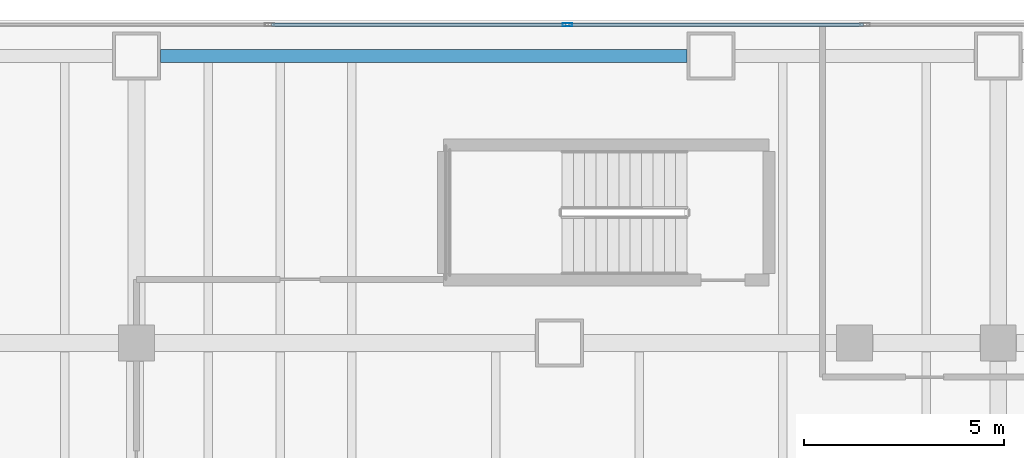
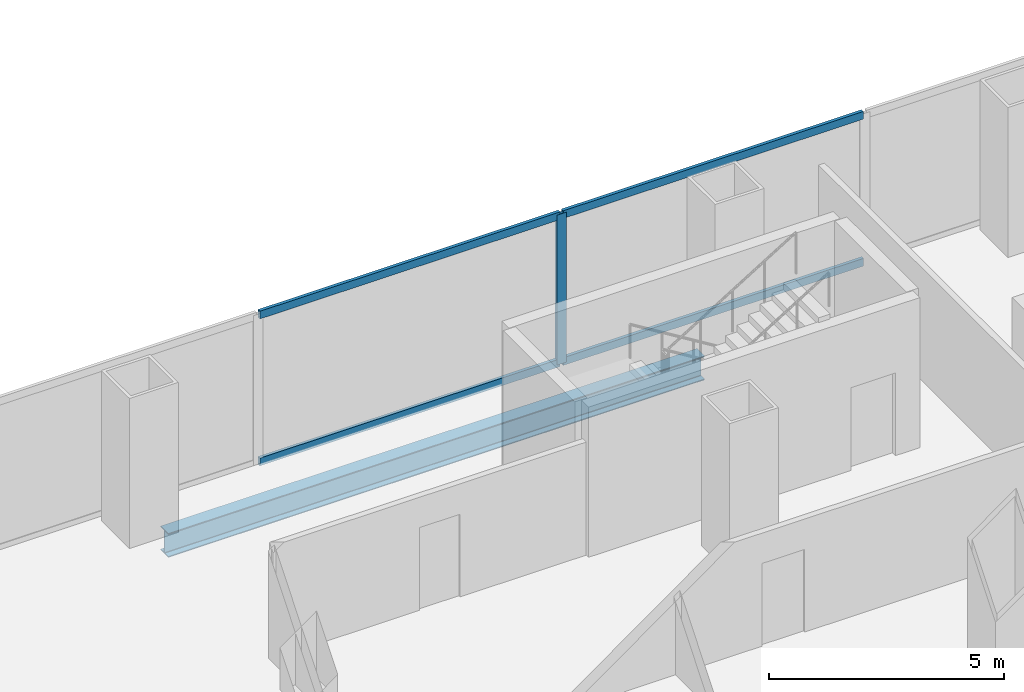
# One storey, part 13 of 34: 5 members, 1 beam, 1 element without a shape of its own.
"""IFC4 building model written with IfcOpenShell, lengths in metres."""

from ifc_helpers import new_model, si_unit, direction, frame, origin, origin_2d, place, context, subcontext, project, spatial, hollow_rectangle, i_section, extrude, material, material_profile, profile_set, type_object, element, aggregate, save


model = new_model("IFC4")

# Units and contexts
model_context = context("Model", 3, precision=1e-05, world=origin(), true_north=direction((0.0, 1.0)))
body_context = subcontext(model_context, "Body", "Model", "MODEL_VIEW")
ifc_project = project(units=[si_unit("LENGTHUNIT", "METRE"), si_unit("AREAUNIT", "SQUARE_METRE"), si_unit("VOLUMEUNIT", "CUBIC_METRE"), si_unit("PLANEANGLEUNIT", "RADIAN"), si_unit("MASSUNIT", "GRAM", prefix="KILO")], contexts=[model_context])

# Site, building, storey
site_placement = place(None, origin())
site = spatial("IfcSite", under=ifc_project, at=site_placement, CompositionType="ELEMENT")
building_placement = place(site_placement, origin())
building = spatial("IfcBuilding", under=site, at=building_placement, Name="Cobrela Telecom Tower", CompositionType="ELEMENT")
storey_placement = place(building_placement, frame((0.0, 0.0, 5.25)))
storey = spatial("IfcBuildingStorey", under=building, at=storey_placement, Name="L01", CompositionType="ELEMENT", Elevation=5.25)

# Beam
ifc_material_1 = material(Name="Steel ASTM A992 Grade 50", Category="steel")
ifc_material_profile_1 = material_profile(ifc_material_1, i_section(OverallWidth=0.327880859375, OverallDepth=0.6220703125, WebThickness=0.015380859375, FlangeThickness=0.0244140625, FilletRadius=0.014892578125, at=origin_2d()), Name="W24X131")
ifc_profile_set_1 = profile_set([ifc_material_profile_1], Name="Steel ASTM A992 Grade 50")
beam_type = type_object("IfcBeamType", Name="BM-SPAND-01", PredefinedType="SPANDREL", material=ifc_profile_set_1)
beam_placement = place(storey_placement, frame((15.0048828125, 49.5, -0.611083984375), z_axis=(1.0, 0.0, 0.0), x_axis=(0.0, 1.0, 0.0)))
element("IfcBeam", 1, at=beam_placement, inside=storey, type_object=beam_type, Name="L01 Perimeter Spandrel X47", PredefinedType="SPANDREL", context=body_context, shape_type="SweptSolid", body=[
    extrude(i_section(OverallWidth=0.327880859375, OverallDepth=0.6220703125, WebThickness=0.015380859375, FlangeThickness=0.0244140625, FilletRadius=0.014892578125, at=origin_2d()), origin(), (0.0, 0.0, 1.0), 13.190185546875),
])

# Curtain wall, members
ifc_material_2 = material(Name="Anodized Bronze Aluminium 6063-T6", Category="aluminium")
curtain_wall_type = type_object("IfcCurtainWallType", Name="CW-SYS-CONC", PredefinedType="USERDEFINED", material=ifc_material_2)
curtain_wall_placement = place(storey_placement, origin())
curtain_wall = element("IfcCurtainWall", 2, at=curtain_wall_placement, inside=storey, type_object=curtain_wall_type, Name="L01 Unitised Bronze Curtain Wall 07", ObjectType="UNITISED CURTAIN WALL", PredefinedType="USERDEFINED")
ifc_material_profile_2 = material_profile(ifc_material_2, hollow_rectangle(XDim=0.080078125, YDim=0.239990234375, WallThickness=0.0048828125, at=origin_2d()), Name="ALU 80x240x5")
ifc_profile_set_2 = profile_set([ifc_material_profile_2], Name="Anodized Bronze Aluminium 6063-T6")
member_type_1 = type_object("IfcMemberType", Name="CW-SYS-CONC-MUL", PredefinedType="MULLION", material=ifc_profile_set_2)
member_1_placement = place(storey_placement, frame((25.199951171875, 50.280029296875, 0.0), z_axis=(0.0, 0.0, 1.0), x_axis=(0.0, 1.0, 0.0)))
member_1 = element("IfcMember", 3, at=member_1_placement, type_object=member_type_1, Name="CW-CONC mullion 4", PredefinedType="MULLION", context=body_context, shape_type="SweptSolid", body=[
    extrude(hollow_rectangle(XDim=0.080078125, YDim=0.239990234375, WallThickness=0.0048828125, at=origin_2d()), origin(), (0.0, 0.0, 1.0), 3.89990234375),
])
ifc_material_profile_3 = material_profile(ifc_material_2, hollow_rectangle(XDim=0.080078125, YDim=0.199951171875, WallThickness=0.00390625, at=origin_2d()), Name="ALU 80x200x4")
ifc_profile_set_3 = profile_set([ifc_material_profile_3], Name="Anodized Bronze Aluminium 6063-T6")
member_type_2 = type_object("IfcMemberType", Name="CW-SYS-CONC-TRN", PredefinedType="USERDEFINED", material=ifc_profile_set_3)
member_2_placement = place(storey_placement, frame((17.780029296875, 50.280029296875, 0.0400390625), z_axis=(1.0, 0.0, 0.0), x_axis=(0.0, 1.0, 0.0)))
member_2 = element("IfcMember", 4, at=member_2_placement, type_object=member_type_2, Name="CW-CONC transom 3.1", ObjectType="TRANSOM", PredefinedType="USERDEFINED", context=body_context, shape_type="SweptSolid", body=[
    extrude(hollow_rectangle(XDim=0.080078125, YDim=0.199951171875, WallThickness=0.00390625, at=origin_2d()), origin(), (0.0, 0.0, 1.0), 7.3798828125),
])
member_3_placement = place(storey_placement, frame((17.780029296875, 50.280029296875, 3.860107421875), z_axis=(1.0, 0.0, 0.0), x_axis=(0.0, 1.0, 0.0)))
member_3 = element("IfcMember", 5, at=member_3_placement, type_object=member_type_2, Name="CW-CONC transom 3.2", ObjectType="TRANSOM", PredefinedType="USERDEFINED", context=body_context, shape_type="SweptSolid", body=[
    extrude(hollow_rectangle(XDim=0.080078125, YDim=0.199951171875, WallThickness=0.00390625, at=origin_2d()), origin(), (0.0, 0.0, 1.0), 7.3798828125),
])
member_4_placement = place(storey_placement, frame((25.239990234375, 50.280029296875, 0.0400390625), z_axis=(1.0, 0.0, 0.0), x_axis=(0.0, 1.0, 0.0)))
member_4 = element("IfcMember", 6, at=member_4_placement, type_object=member_type_2, Name="CW-CONC transom 4.1", ObjectType="TRANSOM", PredefinedType="USERDEFINED", context=body_context, shape_type="SweptSolid", body=[
    extrude(hollow_rectangle(XDim=0.080078125, YDim=0.199951171875, WallThickness=0.00390625, at=origin_2d()), origin(), (0.0, 0.0, 1.0), 7.380126953125),
])
member_5_placement = place(storey_placement, frame((25.239990234375, 50.280029296875, 3.860107421875), z_axis=(1.0, 0.0, 0.0), x_axis=(0.0, 1.0, 0.0)))
member_5 = element("IfcMember", 7, at=member_5_placement, type_object=member_type_2, Name="CW-CONC transom 4.2", ObjectType="TRANSOM", PredefinedType="USERDEFINED", context=body_context, shape_type="SweptSolid", body=[
    extrude(hollow_rectangle(XDim=0.080078125, YDim=0.199951171875, WallThickness=0.00390625, at=origin_2d()), origin(), (0.0, 0.0, 1.0), 7.380126953125),
])
aggregate(curtain_wall, [member_1, member_2, member_3, member_4, member_5])

save(model, "model.ifc")
